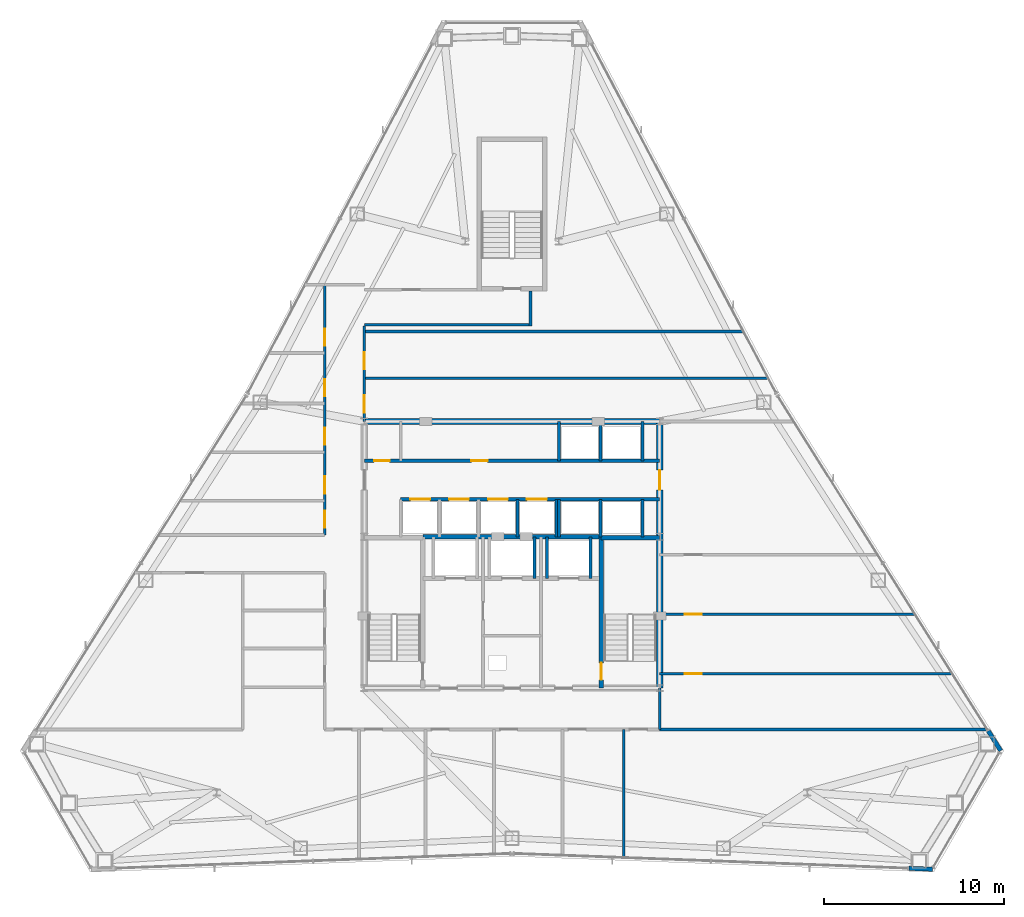
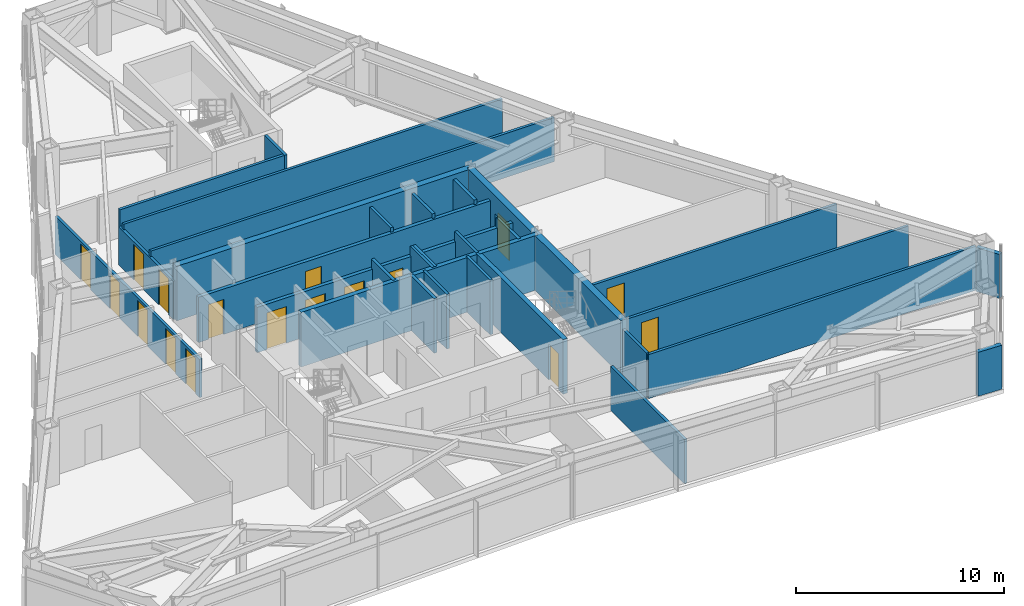
# One storey, part 11 of 13: 31 walls, 17 doors, 17 openings.
"""IFC4 building model written with IfcOpenShell, lengths in metres."""

from ifc_helpers import new_model, si_unit, direction, frame, frame_2d, origin, place, context, subcontext, project, spatial, rectangle, extrude, material, layer, layer_set, type_object, element, fill, save


model = new_model("IFC4")

# Units and contexts
model_context = context("Model", 3, precision=1e-05, world=origin(), true_north=direction((0.0, 1.0)))
body_context = subcontext(model_context, "Body", "Model", "MODEL_VIEW")
ifc_project = project(units=[si_unit("LENGTHUNIT", "METRE"), si_unit("AREAUNIT", "SQUARE_METRE"), si_unit("VOLUMEUNIT", "CUBIC_METRE"), si_unit("PLANEANGLEUNIT", "RADIAN"), si_unit("MASSUNIT", "GRAM", prefix="KILO")], contexts=[model_context])

# Site, building, storey
site_placement = place(None, origin())
site = spatial("IfcSite", under=ifc_project, at=site_placement, CompositionType="ELEMENT")
building_placement = place(site_placement, origin())
building = spatial("IfcBuilding", under=site, at=building_placement, Name="Varakhsha Concourse Tower", CompositionType="ELEMENT")
storey_placement = place(building_placement, frame((0.0, 0.0, 175.800048828125)))
storey = spatial("IfcBuildingStorey", under=building, at=storey_placement, Name="L50", CompositionType="ELEMENT", Elevation=175.800048828125)

# Wall
ifc_material_1 = material(Name="Concrete fc 65 MPa", Category="concrete")
ifc_layer_1 = layer(ifc_material_1, 0.35009765625, Name="WL-CORE-350")
ifc_layer_set_1 = layer_set([ifc_layer_1], Name="Concrete fc 65 MPa")
wall_type_1 = type_object("IfcWallType", Name="WL-CORE-350", PredefinedType="SHEAR", material=ifc_layer_set_1)
wall_1_placement = place(storey_placement, frame((31.800048828125, 31.199951171875, 0.0), z_axis=(0.0, 0.0, 1.0), x_axis=(1.0, 0.0, 0.0)))
element("IfcWall", 1, at=wall_1_placement, inside=storey, type_object=wall_type_1, Name="L50 Wall CWALL-N-L50", PredefinedType="SHEAR", context=body_context, shape_type="SweptSolid", body=[
    extrude(rectangle(XDim=16.39990234375, YDim=0.35009765625, at=frame_2d((8.199951171875, 0.0))), origin(), (0.0, 0.0, 1.0), 3.2099609375),
])

# Wall, opening, door
wall_2_placement = place(storey_placement, frame((48.199951171875, 16.39990234375, 0.0), z_axis=(0.0, 0.0, 1.0), x_axis=(0.0, 1.0, 0.0)))
wall_2 = element("IfcWall", 2, at=wall_2_placement, inside=storey, type_object=wall_type_1, Name="L50 Wall CWALL-E-L50", PredefinedType="SHEAR", context=body_context, shape_type="SweptSolid", body=[
    extrude(rectangle(XDim=14.800048828125, YDim=0.35009765625, at=frame_2d((7.39990234375, 0.0))), origin(), (0.0, 0.0, 1.0), 3.2099609375),
])
opening_1_placement = place(wall_2_placement, frame((11.0, 0.0, 0.0)))
opening_1 = element("IfcOpeningElement", 3, at=opening_1_placement, cuts=wall_2, Name="Opening DL-01", PredefinedType="OPENING", context=body_context, shape_type="SweptSolid", body=[
    extrude(rectangle(XDim=1.10009765625, YDim=2.14990234375, at=frame_2d((0.550048828125, 1.074951171875))), frame((0.0, 0.18505859375, 0.0), z_axis=(0.0, -1.0, 0.0), x_axis=(1.0, 0.0, 0.0)), (0.0, 0.0, 1.0), 0.3701171875),
])
ifc_material_2 = material(Name="Anodised Bronze Architectural Aluminium AA 6063-T6", Category="aluminium")
door_type_1 = type_object("IfcDoorType", Name="DR-LOB-1100", OperationType="NOTDEFINED", PredefinedType="DOOR", material=ifc_material_2)
door_1_placement = place(opening_1_placement, origin())
door_1 = element("IfcDoor", 4, at=door_1_placement, inside=storey, type_object=door_type_1, Name="L50 Lift Lobby East Concourse Door", OperationType="SINGLE_SWING_RIGHT", OverallHeight=2.14990234375, OverallWidth=1.10009765625, PredefinedType="DOOR", context=body_context, shape_type="SweptSolid", body=[
    extrude(rectangle(XDim=1.10009765625, YDim=2.14990234375, at=frame_2d((0.550048828125, 1.074951171875))), frame((0.0, 0.02490234375, 0.0), z_axis=(0.0, -1.0, 0.0), x_axis=(1.0, 0.0, 0.0)), (0.0, 0.0, 1.0), 0.050048828125),
])
fill(opening_1, door_1)

# Walls
ifc_material_3 = material(Name="Concrete fc 45 MPa", Category="concrete")
ifc_layer_2 = layer(ifc_material_3, 0.239990234375, Name="WL-EXT-CRN-240")
ifc_layer_set_2 = layer_set([ifc_layer_2], Name="Concrete fc 45 MPa")
wall_type_2 = type_object("IfcWallType", Name="WL-EXT-CRN-240", PredefinedType="SHEAR", material=ifc_layer_set_2)
for number, where, z_axis, x_axis, name in (
    (5, (62.04248046875, 6.385009765625, 0.0), (0.0, 0.0, 1.0), (0.999302961929, -0.037330822118, 0.0), "L50 Wind-Corner Shoulder Wall F6"),
    (6, (67.141845703125, 12.916015625, 0.0), (0.0, 0.0, 1.0), (-0.531987132085, 0.846752438022, 0.0), "L50 Wind-Corner Shoulder Wall F8"),
):
    element("IfcWall", number, at=place(storey_placement, frame(where, z_axis=z_axis, x_axis=x_axis)), inside=storey, type_object=wall_type_2, Name=name, PredefinedType="SHEAR", context=body_context, shape_type="SweptSolid", body=[
        extrude(rectangle(XDim=1.301513671875, YDim=0.239990234375, at=frame_2d((0.65087890625, 0.0))), origin(), (0.0, 0.0, 1.0), 2.5830078125),
    ])
ifc_material_4 = material(Name="Fire-Rated Type X Gypsum Partition Assembly", Category="gypsum")
ifc_layer_3 = layer(ifc_material_4, 0.14990234375, Name="WL-PART-150")
ifc_layer_set_3 = layer_set([ifc_layer_3], Name="Fire-Rated Type X Gypsum Partition Assembly")
wall_type_3 = type_object("IfcWallType", Name="WL-PART-150", PredefinedType="PARTITIONING", material=ifc_layer_set_3)
wall_3_placement = place(storey_placement, frame((48.199951171875, 14.10009765625, 0.0), z_axis=(0.0, 0.0, 1.0), x_axis=(0.0, 1.0, 0.0)))
element("IfcWall", 7, at=wall_3_placement, inside=storey, type_object=wall_type_3, Name="L50 Wall CRW-SE-L50", PredefinedType="PARTITIONING", context=body_context, shape_type="SweptSolid", body=[
    extrude(rectangle(XDim=2.2998046875, YDim=0.14990234375, at=frame_2d((1.14990234375, 0.0))), origin(), (0.0, 0.0, 1.0), 2.6650390625),
])

# Wall, openings, doors
wall_4_placement = place(storey_placement, frame((29.60009765625, 24.89990234375, 0.0), z_axis=(0.0, 0.0, 1.0), x_axis=(0.0, 1.0, 0.0)))
wall_4 = element("IfcWall", 8, at=wall_4_placement, inside=storey, type_object=wall_type_3, Name="L50 Wall CRW-WN-L50", PredefinedType="PARTITIONING", context=body_context, shape_type="SweptSolid", body=[
    extrude(rectangle(XDim=13.900146484375, YDim=0.14990234375, at=frame_2d((6.9501953125, 0.0))), origin(), (0.0, 0.0, 1.0), 2.251953125),
])
opening_2_placement = place(wall_4_placement, frame((0.39990234375, 0.0, 0.0)))
opening_2 = element("IfcOpeningElement", 9, at=opening_2_placement, cuts=wall_4, Name="Opening DF-05", PredefinedType="OPENING", context=body_context, shape_type="SweptSolid", body=[
    extrude(rectangle(XDim=0.949951171875, YDim=2.10009765625, at=frame_2d((0.47509765625, 1.050048828125))), frame((0.0, 0.0849609375, 0.0), z_axis=(0.0, -1.0, 0.0), x_axis=(1.0, 0.0, 0.0)), (0.0, 0.0, 1.0), 0.169921875),
])
opening_3_placement = place(wall_4_placement, frame((2.300048828125, 0.0, 0.0)))
opening_3 = element("IfcOpeningElement", 10, at=opening_3_placement, cuts=wall_4, Name="Opening DF-05", PredefinedType="OPENING", context=body_context, shape_type="SweptSolid", body=[
    extrude(rectangle(XDim=0.949951171875, YDim=2.10009765625, at=frame_2d((0.47509765625, 1.050048828125))), frame((0.0, 0.0849609375, 0.0), z_axis=(0.0, -1.0, 0.0), x_axis=(1.0, 0.0, 0.0)), (0.0, 0.0, 1.0), 0.169921875),
])
opening_4_placement = place(wall_4_placement, frame((5.0, 0.0, 0.0)))
opening_4 = element("IfcOpeningElement", 11, at=opening_4_placement, cuts=wall_4, Name="Opening DF-05", PredefinedType="OPENING", context=body_context, shape_type="SweptSolid", body=[
    extrude(rectangle(XDim=0.949951171875, YDim=2.10009765625, at=frame_2d((0.47509765625, 1.050048828125))), frame((0.0, 0.0849609375, 0.0), z_axis=(0.0, -1.0, 0.0), x_axis=(1.0, 0.0, 0.0)), (0.0, 0.0, 1.0), 0.169921875),
])
opening_5_placement = place(wall_4_placement, frame((7.699951171875, 0.0, 0.0)))
opening_5 = element("IfcOpeningElement", 12, at=opening_5_placement, cuts=wall_4, Name="Opening DF-05", PredefinedType="OPENING", context=body_context, shape_type="SweptSolid", body=[
    extrude(rectangle(XDim=0.949951171875, YDim=2.10009765625, at=frame_2d((0.47509765625, 1.050048828125))), frame((0.0, 0.0849609375, 0.0), z_axis=(0.0, -1.0, 0.0), x_axis=(1.0, 0.0, 0.0)), (0.0, 0.0, 1.0), 0.169921875),
])
opening_6_placement = place(wall_4_placement, frame((10.5, 0.0, 0.0)))
opening_6 = element("IfcOpeningElement", 13, at=opening_6_placement, cuts=wall_4, Name="Opening DF-05", PredefinedType="OPENING", context=body_context, shape_type="SweptSolid", body=[
    extrude(rectangle(XDim=0.949951171875, YDim=2.10009765625, at=frame_2d((0.47509765625, 1.050048828125))), frame((0.0, 0.0849609375, 0.0), z_axis=(0.0, -1.0, 0.0), x_axis=(1.0, 0.0, 0.0)), (0.0, 0.0, 1.0), 0.169921875),
])
ifc_material_5 = material(Name="Hollow Galvanised Steel Fire Door Assembly", Category="steel")
door_type_2 = type_object("IfcDoorType", Name="DR-FD60-950", OperationType="NOTDEFINED", PredefinedType="DOOR", material=ifc_material_5)
door_2_placement = place(opening_2_placement, origin())
door_2 = element("IfcDoor", 14, at=door_2_placement, inside=storey, type_object=door_type_2, Name="L50 Chambers Break Kitchen L50-NW Door", OperationType="SINGLE_SWING_LEFT", OverallHeight=2.10009765625, OverallWidth=0.949951171875, PredefinedType="DOOR", context=body_context, shape_type="SweptSolid", body=[
    extrude(rectangle(XDim=0.949951171875, YDim=2.10009765625, at=frame_2d((0.47509765625, 1.050048828125))), frame((0.0, 0.02490234375, 0.0), z_axis=(0.0, -1.0, 0.0), x_axis=(1.0, 0.0, 0.0)), (0.0, 0.0, 1.0), 0.050048828125),
])
fill(opening_2, door_2)
door_3_placement = place(opening_3_placement, origin())
door_3 = element("IfcDoor", 15, at=door_3_placement, inside=storey, type_object=door_type_2, Name="L50 Senior Partner Chamber L50-W2 Door", OperationType="SINGLE_SWING_RIGHT", OverallHeight=2.10009765625, OverallWidth=0.949951171875, PredefinedType="DOOR", context=body_context, shape_type="SweptSolid", body=[
    extrude(rectangle(XDim=0.949951171875, YDim=2.10009765625, at=frame_2d((0.47509765625, 1.050048828125))), frame((0.0, 0.02490234375, 0.0), z_axis=(0.0, -1.0, 0.0), x_axis=(1.0, 0.0, 0.0)), (0.0, 0.0, 1.0), 0.050048828125),
])
fill(opening_3, door_3)
door_4_placement = place(opening_4_placement, origin())
door_4 = element("IfcDoor", 16, at=door_4_placement, inside=storey, type_object=door_type_2, Name="L50 Senior Partner Chamber L50-W3 Door", OperationType="SINGLE_SWING_LEFT", OverallHeight=2.10009765625, OverallWidth=0.949951171875, PredefinedType="DOOR", context=body_context, shape_type="SweptSolid", body=[
    extrude(rectangle(XDim=0.949951171875, YDim=2.10009765625, at=frame_2d((0.47509765625, 1.050048828125))), frame((0.0, 0.02490234375, 0.0), z_axis=(0.0, -1.0, 0.0), x_axis=(1.0, 0.0, 0.0)), (0.0, 0.0, 1.0), 0.050048828125),
])
fill(opening_4, door_4)
door_5_placement = place(opening_5_placement, origin())
door_5 = element("IfcDoor", 17, at=door_5_placement, inside=storey, type_object=door_type_2, Name="L50 Senior Partner Chamber L50-W4 Door", OperationType="SINGLE_SWING_RIGHT", OverallHeight=2.10009765625, OverallWidth=0.949951171875, PredefinedType="DOOR", context=body_context, shape_type="SweptSolid", body=[
    extrude(rectangle(XDim=0.949951171875, YDim=2.10009765625, at=frame_2d((0.47509765625, 1.050048828125))), frame((0.0, 0.02490234375, 0.0), z_axis=(0.0, -1.0, 0.0), x_axis=(1.0, 0.0, 0.0)), (0.0, 0.0, 1.0), 0.050048828125),
])
fill(opening_5, door_5)
door_6_placement = place(opening_6_placement, origin())
door_6 = element("IfcDoor", 18, at=door_6_placement, inside=storey, type_object=door_type_2, Name="L50 Senior Partner Chamber L50-W5 Door", OperationType="SINGLE_SWING_LEFT", OverallHeight=2.10009765625, OverallWidth=0.949951171875, PredefinedType="DOOR", context=body_context, shape_type="SweptSolid", body=[
    extrude(rectangle(XDim=0.949951171875, YDim=2.10009765625, at=frame_2d((0.47509765625, 1.050048828125))), frame((0.0, 0.02490234375, 0.0), z_axis=(0.0, -1.0, 0.0), x_axis=(1.0, 0.0, 0.0)), (0.0, 0.0, 1.0), 0.050048828125),
])
fill(opening_6, door_6)

wall_5_placement = place(storey_placement, frame((31.800048828125, 31.199951171875, 0.0), z_axis=(0.0, 0.0, 1.0), x_axis=(0.0, 1.0, 0.0)))
wall_5 = element("IfcWall", 19, at=wall_5_placement, inside=storey, type_object=wall_type_3, Name="L50 Wall CRW-NE-L50", PredefinedType="PARTITIONING", context=body_context, shape_type="SweptSolid", body=[
    extrude(rectangle(XDim=5.300048828125, YDim=0.14990234375, at=frame_2d((2.64990234375, 0.0))), origin(), (0.0, 0.0, 1.0), 2.251953125),
])
opening_7_placement = place(wall_5_placement, frame((0.5, 0.0, 0.0)))
opening_7 = element("IfcOpeningElement", 20, at=opening_7_placement, cuts=wall_5, Name="Opening DF-05", PredefinedType="OPENING", context=body_context, shape_type="SweptSolid", body=[
    extrude(rectangle(XDim=0.949951171875, YDim=2.10009765625, at=frame_2d((0.47509765625, 1.050048828125))), frame((0.0, 0.0849609375, 0.0), z_axis=(0.0, -1.0, 0.0), x_axis=(1.0, 0.0, 0.0)), (0.0, 0.0, 1.0), 0.169921875),
])
opening_8_placement = place(wall_5_placement, frame((2.89990234375, 0.0, 0.0)))
opening_8 = element("IfcOpeningElement", 21, at=opening_8_placement, cuts=wall_5, Name="Opening DF-05", PredefinedType="OPENING", context=body_context, shape_type="SweptSolid", body=[
    extrude(rectangle(XDim=0.949951171875, YDim=2.10009765625, at=frame_2d((0.47509765625, 1.050048828125))), frame((0.0, 0.0849609375, 0.0), z_axis=(0.0, -1.0, 0.0), x_axis=(1.0, 0.0, 0.0)), (0.0, 0.0, 1.0), 0.169921875),
])
door_7_placement = place(opening_7_placement, origin())
door_7 = element("IfcDoor", 22, at=door_7_placement, inside=storey, type_object=door_type_2, Name="L50 Mountain View Deposition Conference Room L50-NE1 Door", OperationType="SINGLE_SWING_RIGHT", OverallHeight=2.10009765625, OverallWidth=0.949951171875, PredefinedType="DOOR", context=body_context, shape_type="SweptSolid", body=[
    extrude(rectangle(XDim=0.949951171875, YDim=2.10009765625, at=frame_2d((0.47509765625, 1.050048828125))), frame((0.0, 0.02490234375, 0.0), z_axis=(0.0, -1.0, 0.0), x_axis=(1.0, 0.0, 0.0)), (0.0, 0.0, 1.0), 0.050048828125),
])
fill(opening_7, door_7)
door_8_placement = place(opening_8_placement, origin())
door_8 = element("IfcDoor", 23, at=door_8_placement, inside=storey, type_object=door_type_2, Name="L50 Apex Senior Partner Chamber L50-NE2 Door", OperationType="SINGLE_SWING_RIGHT", OverallHeight=2.10009765625, OverallWidth=0.949951171875, PredefinedType="DOOR", context=body_context, shape_type="SweptSolid", body=[
    extrude(rectangle(XDim=0.949951171875, YDim=2.10009765625, at=frame_2d((0.47509765625, 1.050048828125))), frame((0.0, 0.02490234375, 0.0), z_axis=(0.0, -1.0, 0.0), x_axis=(1.0, 0.0, 0.0)), (0.0, 0.0, 1.0), 0.050048828125),
])
fill(opening_8, door_8)

# Walls
wall_6_placement = place(storey_placement, frame((46.199951171875, 6.982666015625, 0.0), z_axis=(0.0, 0.0, 1.0), x_axis=(0.0, 1.0, 0.0)))
element("IfcWall", 24, at=wall_6_placement, inside=storey, type_object=wall_type_3, Name="L50 Wall ODIV-S5-L50", PredefinedType="PARTITIONING", context=body_context, shape_type="SweptSolid", body=[
    extrude(rectangle(XDim=7.117431640625, YDim=0.14990234375, at=frame_2d((3.55859375, 0.0))), origin(), (0.0, 0.0, 1.0), 2.5888671875),
])
wall_7_placement = place(storey_placement, frame((31.800048828125, 33.60009765625, 0.0), z_axis=(0.0, 0.0, 1.0), x_axis=(1.0, 0.0, 0.0)))
element("IfcWall", 25, at=wall_7_placement, inside=storey, type_object=wall_type_3, Name="L50 Wall ODIV-NE1-L50", PredefinedType="PARTITIONING", context=body_context, shape_type="SweptSolid", body=[
    extrude(rectangle(XDim=22.43017578125, YDim=0.14990234375, at=frame_2d((11.215087890625, 0.0))), origin(), (0.0, 0.0, 1.0), 2.5888671875),
])
wall_8_placement = place(storey_placement, frame((31.800048828125, 36.199951171875, 0.0), z_axis=(0.0, 0.0, 1.0), x_axis=(1.0, 0.0, 0.0)))
element("IfcWall", 26, at=wall_8_placement, inside=storey, type_object=wall_type_3, Name="L50 Wall ODIV-NE2-L50", PredefinedType="PARTITIONING", context=body_context, shape_type="SweptSolid", body=[
    extrude(rectangle(XDim=21.05615234375, YDim=0.14990234375, at=frame_2d((10.528076171875, 0.0))), origin(), (0.0, 0.0, 1.0), 2.5888671875),
])
wall_9_placement = place(storey_placement, frame((48.199951171875, 14.10009765625, 0.0), z_axis=(0.0, 0.0, 1.0), x_axis=(1.0, 0.0, 0.0)))
element("IfcWall", 27, at=wall_9_placement, inside=storey, type_object=wall_type_3, Name="L50 Wall ODIV-EB0-L50", PredefinedType="PARTITIONING", context=body_context, shape_type="SweptSolid", body=[
    extrude(rectangle(XDim=18.192138671875, YDim=0.14990234375, at=frame_2d((9.09619140625, 0.0))), origin(), (0.0, 0.0, 1.0), 2.5888671875),
])

# Wall, opening, door
wall_10_placement = place(storey_placement, frame((48.199951171875, 17.199951171875, 0.0), z_axis=(0.0, 0.0, 1.0), x_axis=(1.0, 0.0, 0.0)))
wall_10 = element("IfcWall", 28, at=wall_10_placement, inside=storey, type_object=wall_type_3, Name="L50 Wall ODIV-E1-L50", PredefinedType="PARTITIONING", context=body_context, shape_type="SweptSolid", body=[
    extrude(rectangle(XDim=16.244140625, YDim=0.14990234375, at=frame_2d((8.1220703125, 0.0))), origin(), (0.0, 0.0, 1.0), 2.5888671875),
])
opening_9_placement = place(wall_10_placement, frame((1.39990234375, 0.0, 0.0)))
opening_9 = element("IfcOpeningElement", 29, at=opening_9_placement, cuts=wall_10, Name="Opening DF-05", PredefinedType="OPENING", context=body_context, shape_type="SweptSolid", body=[
    extrude(rectangle(XDim=0.949951171875, YDim=2.10009765625, at=frame_2d((0.47509765625, 1.050048828125))), frame((0.0, 0.0849609375, 0.0), z_axis=(0.0, -1.0, 0.0), x_axis=(1.0, 0.0, 0.0)), (0.0, 0.0, 1.0), 0.169921875),
])
door_9_placement = place(opening_9_placement, origin())
door_9 = element("IfcDoor", 30, at=door_9_placement, inside=storey, type_object=door_type_2, Name="L50 East Suite Interconnect Door 1", OperationType="SINGLE_SWING_LEFT", OverallHeight=2.10009765625, OverallWidth=0.949951171875, PredefinedType="DOOR", context=body_context, shape_type="SweptSolid", body=[
    extrude(rectangle(XDim=0.949951171875, YDim=2.10009765625, at=frame_2d((0.47509765625, 1.050048828125))), frame((0.0, 0.02490234375, 0.0), z_axis=(0.0, -1.0, 0.0), x_axis=(1.0, 0.0, 0.0)), (0.0, 0.0, 1.0), 0.050048828125),
])
fill(opening_9, door_9)

wall_11_placement = place(storey_placement, frame((48.199951171875, 20.5, 0.0), z_axis=(0.0, 0.0, 1.0), x_axis=(1.0, 0.0, 0.0)))
wall_11 = element("IfcWall", 31, at=wall_11_placement, inside=storey, type_object=wall_type_3, Name="L50 Wall ODIV-E2-L50", PredefinedType="PARTITIONING", context=body_context, shape_type="SweptSolid", body=[
    extrude(rectangle(XDim=14.1708984375, YDim=0.14990234375, at=frame_2d((7.08544921875, 0.0))), origin(), (0.0, 0.0, 1.0), 2.5888671875),
])
opening_10_placement = place(wall_11_placement, frame((1.39990234375, 0.0, 0.0)))
opening_10 = element("IfcOpeningElement", 32, at=opening_10_placement, cuts=wall_11, Name="Opening DF-05", PredefinedType="OPENING", context=body_context, shape_type="SweptSolid", body=[
    extrude(rectangle(XDim=0.949951171875, YDim=2.10009765625, at=frame_2d((0.47509765625, 1.050048828125))), frame((0.0, 0.0849609375, 0.0), z_axis=(0.0, -1.0, 0.0), x_axis=(1.0, 0.0, 0.0)), (0.0, 0.0, 1.0), 0.169921875),
])
door_10_placement = place(opening_10_placement, origin())
door_10 = element("IfcDoor", 33, at=door_10_placement, inside=storey, type_object=door_type_2, Name="L50 East Suite Interconnect Door 2", OperationType="SINGLE_SWING_RIGHT", OverallHeight=2.10009765625, OverallWidth=0.949951171875, PredefinedType="DOOR", context=body_context, shape_type="SweptSolid", body=[
    extrude(rectangle(XDim=0.949951171875, YDim=2.10009765625, at=frame_2d((0.47509765625, 1.050048828125))), frame((0.0, 0.02490234375, 0.0), z_axis=(0.0, -1.0, 0.0), x_axis=(1.0, 0.0, 0.0)), (0.0, 0.0, 1.0), 0.050048828125),
])
fill(opening_10, door_10)

# Walls
wall_12_placement = place(storey_placement, frame((31.800048828125, 36.574951171875, 0.0), z_axis=(0.0, 0.0, 1.0), x_axis=(1.0, 0.0, 0.0)))
element("IfcWall", 34, at=wall_12_placement, inside=storey, type_object=wall_type_3, Name="L50 Wall STLK-S-L50", PredefinedType="PARTITIONING", context=body_context, shape_type="SweptSolid", body=[
    extrude(rectangle(XDim=9.14990234375, YDim=0.14990234375, at=frame_2d((4.574951171875, 0.0))), origin(), (0.0, 0.0, 1.0), 3.2099609375),
])
wall_13_placement = place(storey_placement, frame((41.02490234375, 36.5, 0.0), z_axis=(0.0, 0.0, 1.0), x_axis=(0.0, 1.0, 0.0)))
element("IfcWall", 35, at=wall_13_placement, inside=storey, type_object=wall_type_3, Name="L50 Wall STLK-E-L50", PredefinedType="PARTITIONING", context=body_context, shape_type="SweptSolid", body=[
    extrude(rectangle(XDim=1.949951171875, YDim=0.14990234375, at=frame_2d((0.97509765625, 0.0))), origin(), (0.0, 0.0, 1.0), 3.2099609375),
])
ifc_layer_4 = layer(ifc_material_4, 0.199951171875, Name="WL-SHAFT-220")
ifc_layer_set_4 = layer_set([ifc_layer_4], Name="Fire-Rated Type X Gypsum Partition Assembly")
wall_type_4 = type_object("IfcWallType", Name="WL-SHAFT-220", PredefinedType="SOLIDWALL", material=ifc_layer_set_4)
for number, where, z_axis, x_axis, name in (
    (36, (41.949951171875, 22.47998046875, 0.0), (0.0, 0.0, 1.0), (0.0, 1.0, 0.0), "L50 Wall SHW-FFL-2-W-L50"),
    (37, (44.35009765625, 22.47998046875, 0.0), (0.0, 0.0, 1.0), (0.0, 1.0, 0.0), "L50 Wall SHW-FFL-2-E-L50"),
    (38, (41.25, 22.47998046875, 0.0), (0.0, 0.0, 1.0), (0.0, 1.0, 0.0), "L50 Wall SHW-SVL-1-E-L50"),
):
    element("IfcWall", number, at=place(storey_placement, frame(where, z_axis=z_axis, x_axis=x_axis)), inside=storey, type_object=wall_type_4, Name=name, PredefinedType="SOLIDWALL", context=body_context, shape_type="SweptSolid", body=[
        extrude(rectangle(XDim=2.320068359375, YDim=0.159912109375, at=frame_2d((1.16015625, 0.0))), origin(), (0.0, 0.0, 1.0), 3.2099609375),
    ])

# Wall, openings, doors
wall_14_placement = place(storey_placement, frame((31.800048828125, 29.02001953125, 0.0), z_axis=(0.0, 0.0, 1.0), x_axis=(1.0, 0.0, 0.0)))
wall_14 = element("IfcWall", 39, at=wall_14_placement, inside=storey, type_object=wall_type_4, Name="L50 Wall PLW-N-L50", PredefinedType="SOLIDWALL", context=body_context, shape_type="SweptSolid", body=[
    extrude(rectangle(XDim=16.39990234375, YDim=0.199951171875, at=frame_2d((8.199951171875, 0.0))), origin(), (0.0, 0.0, 1.0), 2.6650390625),
])
opening_11_placement = place(wall_14_placement, frame((0.550048828125, 0.0, 0.0)))
opening_11 = element("IfcOpeningElement", 40, at=opening_11_placement, cuts=wall_14, Name="Opening DF-07", PredefinedType="OPENING", context=body_context, shape_type="SweptSolid", body=[
    extrude(rectangle(XDim=0.85009765625, YDim=2.050048828125, at=frame_2d((0.425048828125, 1.02490234375))), frame((0.0, 0.10986328125, 0.0), z_axis=(0.0, -1.0, 0.0), x_axis=(1.0, 0.0, 0.0)), (0.0, 0.0, 1.0), 0.219970703125),
])
opening_12_placement = place(wall_14_placement, frame((5.93994140625, 0.0, 0.0)))
opening_12 = element("IfcOpeningElement", 41, at=opening_12_placement, cuts=wall_14, Name="Opening DF-06", PredefinedType="OPENING", context=body_context, shape_type="SweptSolid", body=[
    extrude(rectangle(XDim=0.89990234375, YDim=2.10009765625, at=frame_2d((0.449951171875, 1.050048828125))), frame((0.0, 0.10986328125, 0.0), z_axis=(0.0, -1.0, 0.0), x_axis=(1.0, 0.0, 0.0)), (0.0, 0.0, 1.0), 0.219970703125),
])
door_type_3 = type_object("IfcDoorType", Name="DR-FD60-850", OperationType="NOTDEFINED", PredefinedType="DOOR", material=ifc_material_5)
door_11_placement = place(opening_11_placement, origin())
door_11 = element("IfcDoor", 42, at=door_11_placement, inside=storey, type_object=door_type_3, Name="L50 Core Janitor Closet Door", OperationType="SINGLE_SWING_LEFT", OverallHeight=2.050048828125, OverallWidth=0.85009765625, PredefinedType="DOOR", context=body_context, shape_type="SweptSolid", body=[
    extrude(rectangle(XDim=0.85009765625, YDim=2.050048828125, at=frame_2d((0.425048828125, 1.02490234375))), frame((0.0, 0.02490234375, 0.0), z_axis=(0.0, -1.0, 0.0), x_axis=(1.0, 0.0, 0.0)), (0.0, 0.0, 1.0), 0.050048828125),
])
fill(opening_11, door_11)
door_type_4 = type_object("IfcDoorType", Name="DR-FD60-900", OperationType="NOTDEFINED", PredefinedType="DOOR", material=ifc_material_5)
door_12_placement = place(opening_12_placement, origin())
door_12 = element("IfcDoor", 43, at=door_12_placement, inside=storey, type_object=door_type_4, Name="L50 Tenant Archive and IT Server Room Door", OperationType="SINGLE_SWING_LEFT", OverallHeight=2.10009765625, OverallWidth=0.89990234375, PredefinedType="DOOR", context=body_context, shape_type="SweptSolid", body=[
    extrude(rectangle(XDim=0.89990234375, YDim=2.10009765625, at=frame_2d((0.449951171875, 1.050048828125))), frame((0.0, 0.02490234375, 0.0), z_axis=(0.0, -1.0, 0.0), x_axis=(1.0, 0.0, 0.0)), (0.0, 0.0, 1.0), 0.050048828125),
])
fill(opening_12, door_12)

wall_15_placement = place(storey_placement, frame((33.820068359375, 26.8798828125, 0.0), z_axis=(0.0, 0.0, 1.0), x_axis=(1.0, 0.0, 0.0)))
wall_15 = element("IfcWall", 44, at=wall_15_placement, inside=storey, type_object=wall_type_4, Name="L50 Wall PLW-S-L50", PredefinedType="SOLIDWALL", context=body_context, shape_type="SweptSolid", body=[
    extrude(rectangle(XDim=14.3798828125, YDim=0.199951171875, at=frame_2d((7.18994140625, 0.0))), origin(), (0.0, 0.0, 1.0), 2.6650390625),
])
opening_13_placement = place(wall_15_placement, frame((0.530029296875, 0.0, 0.0)))
opening_13 = element("IfcOpeningElement", 45, at=opening_13_placement, cuts=wall_15, Name="Opening LD-LF-P05", PredefinedType="OPENING", context=body_context, shape_type="SweptSolid", body=[
    extrude(rectangle(XDim=1.10009765625, YDim=2.14990234375, at=frame_2d((0.550048828125, 1.074951171875))), frame((0.0, 0.10986328125, 0.0), z_axis=(0.0, -1.0, 0.0), x_axis=(1.0, 0.0, 0.0)), (0.0, 0.0, 1.0), 0.219970703125),
])
opening_14_placement = place(wall_15_placement, frame((2.68994140625, 0.0, 0.0)))
opening_14 = element("IfcOpeningElement", 46, at=opening_14_placement, cuts=wall_15, Name="Opening LD-LF-P06", PredefinedType="OPENING", context=body_context, shape_type="SweptSolid", body=[
    extrude(rectangle(XDim=1.10009765625, YDim=2.14990234375, at=frame_2d((0.550048828125, 1.074951171875))), frame((0.0, 0.10986328125, 0.0), z_axis=(0.0, -1.0, 0.0), x_axis=(1.0, 0.0, 0.0)), (0.0, 0.0, 1.0), 0.219970703125),
])
opening_15_placement = place(wall_15_placement, frame((4.85009765625, 0.0, 0.0)))
opening_15 = element("IfcOpeningElement", 47, at=opening_15_placement, cuts=wall_15, Name="Opening LD-LF-P07", PredefinedType="OPENING", context=body_context, shape_type="SweptSolid", body=[
    extrude(rectangle(XDim=1.10009765625, YDim=2.14990234375, at=frame_2d((0.550048828125, 1.074951171875))), frame((0.0, 0.10986328125, 0.0), z_axis=(0.0, -1.0, 0.0), x_axis=(1.0, 0.0, 0.0)), (0.0, 0.0, 1.0), 0.219970703125),
])
opening_16_placement = place(wall_15_placement, frame((7.010009765625, 0.0, 0.0)))
opening_16 = element("IfcOpeningElement", 48, at=opening_16_placement, cuts=wall_15, Name="Opening LD-LF-P08", PredefinedType="OPENING", context=body_context, shape_type="SweptSolid", body=[
    extrude(rectangle(XDim=1.10009765625, YDim=2.14990234375, at=frame_2d((0.550048828125, 1.074951171875))), frame((0.0, 0.10986328125, 0.0), z_axis=(0.0, -1.0, 0.0), x_axis=(1.0, 0.0, 0.0)), (0.0, 0.0, 1.0), 0.219970703125),
])
ifc_material_6 = material(Name="Brushed Austenitic Stainless Steel AISI 316", Category="steel")
door_type_5 = type_object("IfcDoorType", Name="DR-LD-1100", OperationType="DOUBLE_DOOR_SLIDING", PredefinedType="DOOR", material=ifc_material_6)
door_13_placement = place(opening_13_placement, origin())
door_13 = element("IfcDoor", 49, at=door_13_placement, inside=storey, type_object=door_type_5, Name="Lift Landing Door LF-P05 L50", OperationType="DOUBLE_DOOR_SLIDING", OverallHeight=2.14990234375, OverallWidth=1.10009765625, PredefinedType="DOOR", context=body_context, shape_type="SweptSolid", body=[
    extrude(rectangle(XDim=1.10009765625, YDim=2.14990234375, at=frame_2d((0.550048828125, 1.074951171875))), frame((0.0, 0.02490234375, 0.0), z_axis=(0.0, -1.0, 0.0), x_axis=(1.0, 0.0, 0.0)), (0.0, 0.0, 1.0), 0.050048828125),
])
fill(opening_13, door_13)
door_14_placement = place(opening_14_placement, origin())
door_14 = element("IfcDoor", 50, at=door_14_placement, inside=storey, type_object=door_type_5, Name="Lift Landing Door LF-P06 L50", OperationType="DOUBLE_DOOR_SLIDING", OverallHeight=2.14990234375, OverallWidth=1.10009765625, PredefinedType="DOOR", context=body_context, shape_type="SweptSolid", body=[
    extrude(rectangle(XDim=1.10009765625, YDim=2.14990234375, at=frame_2d((0.550048828125, 1.074951171875))), frame((0.0, 0.02490234375, 0.0), z_axis=(0.0, -1.0, 0.0), x_axis=(1.0, 0.0, 0.0)), (0.0, 0.0, 1.0), 0.050048828125),
])
fill(opening_14, door_14)
door_15_placement = place(opening_15_placement, origin())
door_15 = element("IfcDoor", 51, at=door_15_placement, inside=storey, type_object=door_type_5, Name="Lift Landing Door LF-P07 L50", OperationType="DOUBLE_DOOR_SLIDING", OverallHeight=2.14990234375, OverallWidth=1.10009765625, PredefinedType="DOOR", context=body_context, shape_type="SweptSolid", body=[
    extrude(rectangle(XDim=1.10009765625, YDim=2.14990234375, at=frame_2d((0.550048828125, 1.074951171875))), frame((0.0, 0.02490234375, 0.0), z_axis=(0.0, -1.0, 0.0), x_axis=(1.0, 0.0, 0.0)), (0.0, 0.0, 1.0), 0.050048828125),
])
fill(opening_15, door_15)
door_16_placement = place(opening_16_placement, origin())
door_16 = element("IfcDoor", 52, at=door_16_placement, inside=storey, type_object=door_type_5, Name="Lift Landing Door LF-P08 L50", OperationType="DOUBLE_DOOR_SLIDING", OverallHeight=2.14990234375, OverallWidth=1.10009765625, PredefinedType="DOOR", context=body_context, shape_type="SweptSolid", body=[
    extrude(rectangle(XDim=1.10009765625, YDim=2.14990234375, at=frame_2d((0.550048828125, 1.074951171875))), frame((0.0, 0.02490234375, 0.0), z_axis=(0.0, -1.0, 0.0), x_axis=(1.0, 0.0, 0.0)), (0.0, 0.0, 1.0), 0.050048828125),
])
fill(opening_16, door_16)

# Walls
for number, where, z_axis, x_axis, name in (
    (53, (40.300048828125, 24.800048828125, 0.0), (0.0, 0.0, 1.0), (0.0, 1.0, 0.0), "L50 Wall SHW-LF-P07-E-L50"),
    (54, (42.4599609375, 24.800048828125, 0.0), (0.0, 0.0, 1.0), (0.0, 1.0, 0.0), "L50 Wall SHW-LF-P08-E-L50"),
):
    element("IfcWall", number, at=place(storey_placement, frame(where, z_axis=z_axis, x_axis=x_axis)), inside=storey, type_object=wall_type_4, Name=name, PredefinedType="SOLIDWALL", context=body_context, shape_type="SweptSolid", body=[
        extrude(rectangle(XDim=2.079833984375, YDim=0.159912109375, at=frame_2d((1.0400390625, 0.0))), origin(), (0.0, 0.0, 1.0), 3.2099609375),
    ])
for number, where, z_axis, x_axis, name in (
    (55, (42.60009765625, 29.02001953125, 0.0), (0.0, 0.0, 1.0), (0.0, 1.0, 0.0), "L50 Wall SHW-LF-P09-W-L50"),
    (56, (44.919921875, 29.02001953125, 0.0), (0.0, 0.0, 1.0), (0.0, 1.0, 0.0), "L50 Wall SHW-LF-P09-E-L50"),
    (57, (47.239990234375, 29.02001953125, 0.0), (0.0, 0.0, 1.0), (0.0, 1.0, 0.0), "L50 Wall SHW-LF-P10-E-L50"),
):
    element("IfcWall", number, at=place(storey_placement, frame(where, z_axis=z_axis, x_axis=x_axis)), inside=storey, type_object=wall_type_4, Name=name, PredefinedType="SOLIDWALL", context=body_context, shape_type="SweptSolid", body=[
        extrude(rectangle(XDim=2.179931640625, YDim=0.159912109375, at=frame_2d((1.08984375, 0.0))), origin(), (0.0, 0.0, 1.0), 2.93798828125),
    ])
for number, where, z_axis, x_axis, name in (
    (58, (42.60009765625, 24.800048828125, 0.0), (0.0, 0.0, 1.0), (0.0, 1.0, 0.0), "L50 Wall SHW-LF-P11-W-L50"),
    (59, (44.919921875, 24.800048828125, 0.0), (0.0, 0.0, 1.0), (0.0, 1.0, 0.0), "L50 Wall SHW-LF-P11-E-L50"),
    (60, (47.239990234375, 24.800048828125, 0.0), (0.0, 0.0, 1.0), (0.0, 1.0, 0.0), "L50 Wall SHW-LF-P12-E-L50"),
):
    element("IfcWall", number, at=place(storey_placement, frame(where, z_axis=z_axis, x_axis=x_axis)), inside=storey, type_object=wall_type_4, Name=name, PredefinedType="SOLIDWALL", context=body_context, shape_type="SweptSolid", body=[
        extrude(rectangle(XDim=2.079833984375, YDim=0.159912109375, at=frame_2d((1.0400390625, 0.0))), origin(), (0.0, 0.0, 1.0), 3.2099609375),
    ])

# Wall, opening, door
ifc_layer_5 = layer(ifc_material_3, 0.25, Name="WL-STAIR-250")
ifc_layer_set_5 = layer_set([ifc_layer_5], Name="Concrete fc 45 MPa")
wall_type_5 = type_object("IfcWallType", Name="WL-STAIR-250", PredefinedType="SHEAR", material=ifc_layer_set_5)
wall_16_placement = place(storey_placement, frame((44.955078125, 16.39990234375, 0.0), z_axis=(0.0, 0.0, 1.0), x_axis=(0.0, 1.0, 0.0)))
wall_16 = element("IfcWall", 61, at=wall_16_placement, inside=storey, type_object=wall_type_5, Name="L50 Wall SWALL-ST2-W-L50", PredefinedType="SHEAR", context=body_context, shape_type="SweptSolid", body=[
    extrude(rectangle(XDim=8.400146484375, YDim=0.25, at=frame_2d((4.2001953125, 0.0))), origin(), (0.0, 0.0, 1.0), 3.2099609375),
])
opening_17_placement = place(wall_16_placement, frame((0.449951171875, 0.0, 0.0)))
opening_17 = element("IfcOpeningElement", 62, at=opening_17_placement, cuts=wall_16, Name="Opening DF-03", PredefinedType="OPENING", context=body_context, shape_type="SweptSolid", body=[
    extrude(rectangle(XDim=0.949951171875, YDim=2.10009765625, at=frame_2d((0.47509765625, 1.050048828125))), frame((0.0, 0.135009765625, 0.0), z_axis=(0.0, -1.0, 0.0), x_axis=(1.0, 0.0, 0.0)), (0.0, 0.0, 1.0), 0.27001953125),
])
door_type_6 = type_object("IfcDoorType", Name="DR-FD90-950", OperationType="NOTDEFINED", PredefinedType="DOOR", material=ifc_material_5)
door_17_placement = place(opening_17_placement, origin())
door_17 = element("IfcDoor", 63, at=door_17_placement, inside=storey, type_object=door_type_6, Name="L50 Stair ST2 Fire Door", OperationType="SINGLE_SWING_RIGHT", OverallHeight=2.10009765625, OverallWidth=0.949951171875, PredefinedType="DOOR", context=body_context, shape_type="SweptSolid", body=[
    extrude(rectangle(XDim=0.949951171875, YDim=2.10009765625, at=frame_2d((0.47509765625, 1.050048828125))), frame((0.0, 0.02490234375, 0.0), z_axis=(0.0, -1.0, 0.0), x_axis=(1.0, 0.0, 0.0)), (0.0, 0.0, 1.0), 0.050048828125),
])
fill(opening_17, door_17)

# Walls
wall_17_placement = place(storey_placement, frame((44.955078125, 24.7548828125, 0.0), z_axis=(0.0, 0.0, 1.0), x_axis=(1.0, 0.0, 0.0)))
element("IfcWall", 64, at=wall_17_placement, inside=storey, type_object=wall_type_5, Name="L50 Wall SWALL-ST2-N-L50", PredefinedType="SHEAR", context=body_context, shape_type="SweptSolid", body=[
    extrude(rectangle(XDim=3.244873046875, YDim=0.25, at=frame_2d((1.62255859375, 0.0))), origin(), (0.0, 0.0, 1.0), 3.2099609375),
])
wall_18_placement = place(storey_placement, frame((35.044921875, 24.800048828125, 0.0), z_axis=(0.0, 0.0, 1.0), x_axis=(1.0, 0.0, 0.0)))
element("IfcWall", 65, at=wall_18_placement, inside=storey, type_object=wall_type_5, Name="L50 Wall SWALL-MID-H-L50", PredefinedType="SHEAR", context=body_context, shape_type="SweptSolid", body=[
    extrude(rectangle(XDim=9.91015625, YDim=0.25, at=frame_2d((4.955078125, 0.0))), origin(), (0.0, 0.0, 1.0), 3.2099609375),
])

save(model, "model.ifc")
